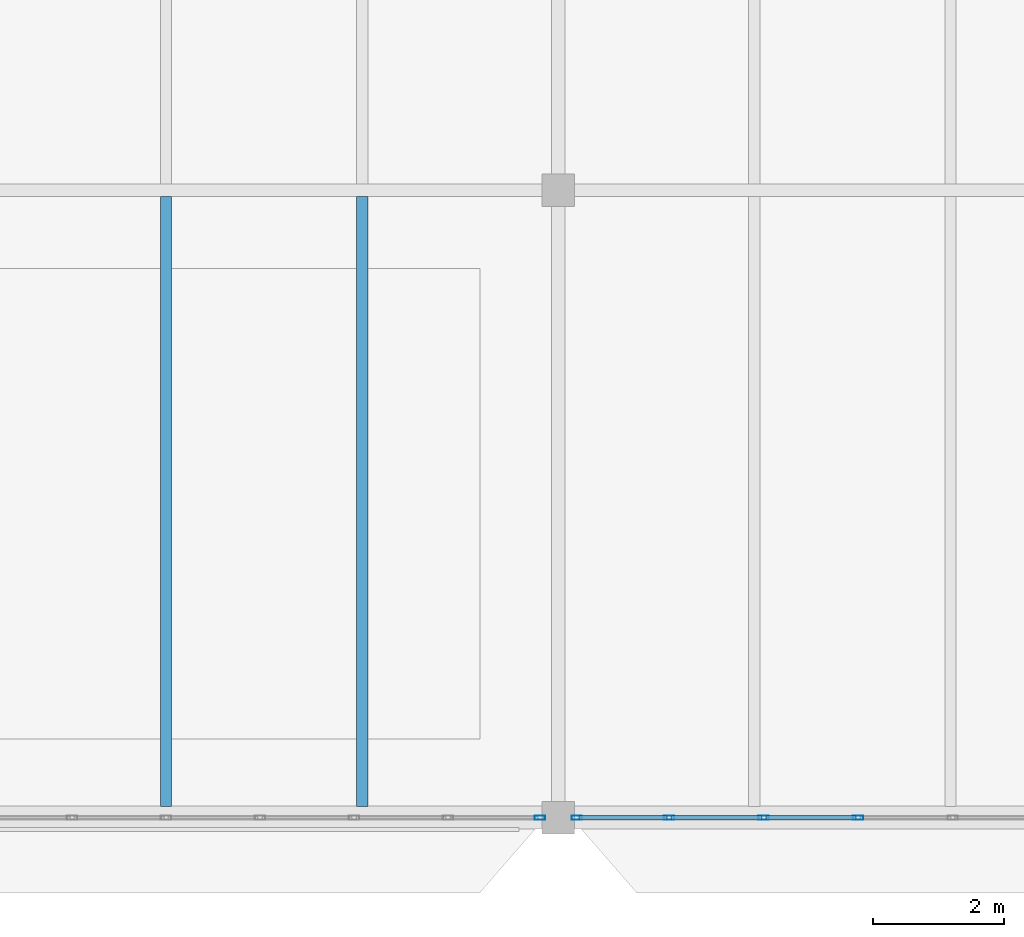
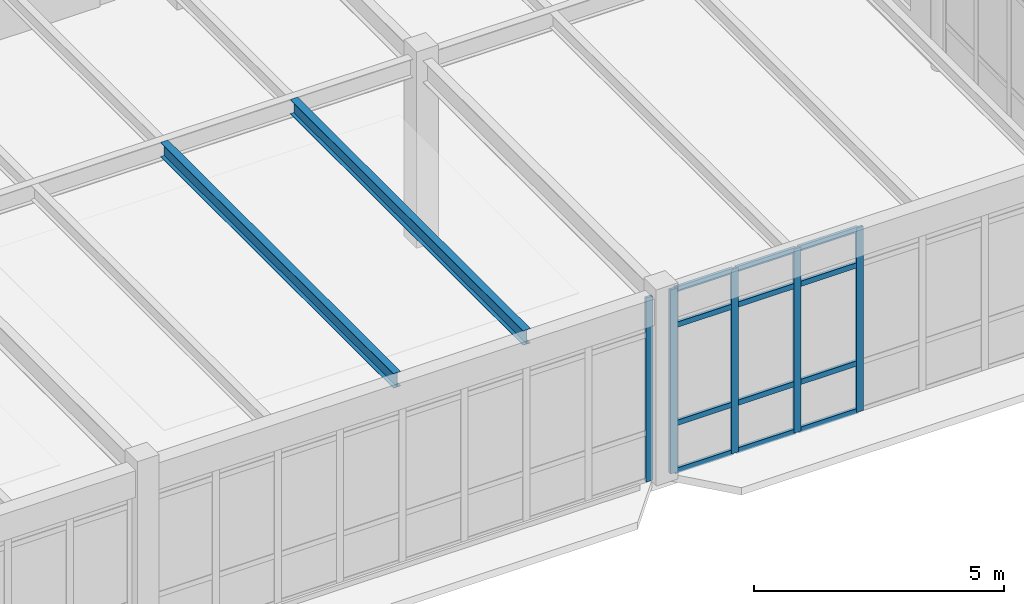
# One storey, part 14 of 236: 17 members, 2 beams, 2 elements without a shape of their own.
"""IFC4 building model written with IfcOpenShell, lengths in metres."""

from ifc_helpers import new_model, si_unit, direction, frame, origin, origin_2d, place, context, subcontext, project, spatial, hollow_rectangle, i_section, extrude, material, layer, layer_set, material_profile, profile_set, type_object, element, aggregate, save


model = new_model("IFC4")

# Units and contexts
model_context = context("Model", 3, precision=1e-05, world=origin(), true_north=direction((0.0, 1.0)))
body_context = subcontext(model_context, "Body", "Model", "MODEL_VIEW")
ifc_project = project(units=[si_unit("LENGTHUNIT", "METRE"), si_unit("AREAUNIT", "SQUARE_METRE"), si_unit("VOLUMEUNIT", "CUBIC_METRE"), si_unit("PLANEANGLEUNIT", "RADIAN"), si_unit("MASSUNIT", "GRAM", prefix="KILO")], contexts=[model_context])

# Site, building, storey
site_placement = place(None, origin())
site = spatial("IfcSite", under=ifc_project, at=site_placement, CompositionType="ELEMENT")
building_placement = place(site_placement, origin())
building = spatial("IfcBuilding", under=site, at=building_placement, Name="Pandanus Reach Market Hall", CompositionType="ELEMENT")
storey_placement = place(building_placement, frame((0.0, 0.0, 5.39990234375)))
storey = spatial("IfcBuildingStorey", under=building, at=storey_placement, Name="L01", CompositionType="ELEMENT", Elevation=5.39990234375)

# Curtain wall, member
ifc_material_1 = material(Name="Bronze anodised aluminium and low-E glass", Category="aluminium")
ifc_layer_1 = layer(ifc_material_1, 0.159912109375, Name="CW-15")
ifc_layer_set_1 = layer_set([ifc_layer_1], Name="Bronze anodised aluminium and low-E glass")
curtain_wall_type_1 = type_object("IfcCurtainWallType", Name="CW-15", PredefinedType="NOTDEFINED", material=ifc_layer_set_1)
curtain_wall_1_placement = place(storey_placement, origin())
curtain_wall_1 = element("IfcCurtainWall", 1, at=curtain_wall_1_placement, inside=storey, type_object=curtain_wall_type_1, Name="Glazed curtain wall CW-15 CW-0055", PredefinedType="NOTDEFINED")
ifc_material_2 = material(Name="Bronze anodised aluminium", Category="aluminium")
ifc_material_profile_1 = material_profile(ifc_material_2, hollow_rectangle(XDim=0.06494140625, YDim=0.159912109375, WallThickness=0.00390625, at=origin_2d()), Name="ALU65x160", Category="LoadBearing")
ifc_profile_set_1 = profile_set([ifc_material_profile_1], Name="Bronze anodised aluminium")
member_type_1 = type_object("IfcMemberType", Name="CW-M1", PredefinedType="MULLION", material=ifc_profile_set_1)
member_1_placement = place(storey_placement, frame((23.717529296875, 0.0, 0.0), z_axis=(0.0, 0.0, 1.0), x_axis=(0.0, 1.0, 0.0)))
member_1 = element("IfcMember", 2, at=member_1_placement, type_object=member_type_1, Name="CW-15 mullion 9", PredefinedType="MULLION", context=body_context, shape_type="SweptSolid", body=[
    extrude(hollow_rectangle(XDim=0.06494140625, YDim=0.159912109375, WallThickness=0.00390625, at=origin_2d()), origin(), (0.0, 0.0, 1.0), 4.5),
])
aggregate(curtain_wall_1, [member_1])

# Curtain wall, members
ifc_layer_2 = layer(ifc_material_1, 0.159912109375, Name="CW-16")
ifc_layer_set_2 = layer_set([ifc_layer_2], Name="Bronze anodised aluminium and low-E glass")
curtain_wall_type_2 = type_object("IfcCurtainWallType", Name="CW-16", PredefinedType="NOTDEFINED", material=ifc_layer_set_2)
curtain_wall_2_placement = place(storey_placement, origin())
curtain_wall_2 = element("IfcCurtainWall", 3, at=curtain_wall_2_placement, inside=storey, type_object=curtain_wall_type_2, Name="Glazed curtain wall CW-16 CW-0056", PredefinedType="NOTDEFINED")
member_2_placement = place(storey_placement, frame((24.282470703125, 0.0, 0.0), z_axis=(0.0, 0.0, 1.0), x_axis=(0.0, 1.0, 0.0)))
member_2 = element("IfcMember", 4, at=member_2_placement, type_object=member_type_1, Name="CW-16 mullion 1", PredefinedType="MULLION", context=body_context, shape_type="SweptSolid", body=[
    extrude(hollow_rectangle(XDim=0.06494140625, YDim=0.159912109375, WallThickness=0.00390625, at=origin_2d()), origin(), (0.0, 0.0, 1.0), 4.5),
])
member_3_placement = place(storey_placement, frame((25.696533203125, 0.0, 0.0), z_axis=(0.0, 0.0, 1.0), x_axis=(0.0, 1.0, 0.0)))
member_3 = element("IfcMember", 5, at=member_3_placement, type_object=member_type_1, Name="CW-16 mullion 2", PredefinedType="MULLION", context=body_context, shape_type="SweptSolid", body=[
    extrude(hollow_rectangle(XDim=0.06494140625, YDim=0.159912109375, WallThickness=0.00390625, at=origin_2d()), origin(), (0.0, 0.0, 1.0), 4.5),
])
member_4_placement = place(storey_placement, frame((27.14306640625, 0.0, 0.0), z_axis=(0.0, 0.0, 1.0), x_axis=(0.0, 1.0, 0.0)))
member_4 = element("IfcMember", 6, at=member_4_placement, type_object=member_type_1, Name="CW-16 mullion 3", PredefinedType="MULLION", context=body_context, shape_type="SweptSolid", body=[
    extrude(hollow_rectangle(XDim=0.06494140625, YDim=0.159912109375, WallThickness=0.00390625, at=origin_2d()), origin(), (0.0, 0.0, 1.0), 4.5),
])
member_5_placement = place(storey_placement, frame((28.589599609375, 0.0, 0.0), z_axis=(0.0, 0.0, 1.0), x_axis=(0.0, 1.0, 0.0)))
member_5 = element("IfcMember", 7, at=member_5_placement, type_object=member_type_1, Name="CW-16 mullion 4", PredefinedType="MULLION", context=body_context, shape_type="SweptSolid", body=[
    extrude(hollow_rectangle(XDim=0.06494140625, YDim=0.159912109375, WallThickness=0.00390625, at=origin_2d()), origin(), (0.0, 0.0, 1.0), 4.5),
])
ifc_material_profile_2 = material_profile(ifc_material_2, hollow_rectangle(XDim=0.06494140625, YDim=0.1298828125, WallThickness=0.00390625, at=origin_2d()), Name="ALU65x130", Category="LoadBearing")
ifc_profile_set_2 = profile_set([ifc_material_profile_2], Name="Bronze anodised aluminium")
member_type_2 = type_object("IfcMemberType", Name="CW-T1", PredefinedType="USERDEFINED", material=ifc_profile_set_2)
member_6_placement = place(storey_placement, frame((24.31494140625, 0.0, 0.03271484375), z_axis=(1.0, 0.0, 0.0), x_axis=(0.0, 1.0, 0.0)))
member_6 = element("IfcMember", 8, at=member_6_placement, type_object=member_type_2, Name="CW-16 transom 1.1", ObjectType="TRANSOM", PredefinedType="USERDEFINED", context=body_context, shape_type="SweptSolid", body=[
    extrude(hollow_rectangle(XDim=0.06494140625, YDim=0.1298828125, WallThickness=0.00390625, at=origin_2d()), origin(), (0.0, 0.0, 1.0), 1.34912109375),
])
member_7_placement = place(storey_placement, frame((24.31494140625, 0.0, 1.2001953125), z_axis=(1.0, 0.0, 0.0), x_axis=(0.0, 1.0, 0.0)))
member_7 = element("IfcMember", 9, at=member_7_placement, type_object=member_type_2, Name="CW-16 transom 1.2", ObjectType="TRANSOM", PredefinedType="USERDEFINED", context=body_context, shape_type="SweptSolid", body=[
    extrude(hollow_rectangle(XDim=0.06494140625, YDim=0.1298828125, WallThickness=0.00390625, at=origin_2d()), origin(), (0.0, 0.0, 1.0), 1.34912109375),
])
member_8_placement = place(storey_placement, frame((24.31494140625, 0.0, 3.60009765625), z_axis=(1.0, 0.0, 0.0), x_axis=(0.0, 1.0, 0.0)))
member_8 = element("IfcMember", 10, at=member_8_placement, type_object=member_type_2, Name="CW-16 transom 1.3", ObjectType="TRANSOM", PredefinedType="USERDEFINED", context=body_context, shape_type="SweptSolid", body=[
    extrude(hollow_rectangle(XDim=0.06494140625, YDim=0.1298828125, WallThickness=0.00390625, at=origin_2d()), origin(), (0.0, 0.0, 1.0), 1.34912109375),
])
member_9_placement = place(storey_placement, frame((24.31494140625, 0.0, 4.467529296875), z_axis=(1.0, 0.0, 0.0), x_axis=(0.0, 1.0, 0.0)))
member_9 = element("IfcMember", 11, at=member_9_placement, type_object=member_type_2, Name="CW-16 transom 1.4", ObjectType="TRANSOM", PredefinedType="USERDEFINED", context=body_context, shape_type="SweptSolid", body=[
    extrude(hollow_rectangle(XDim=0.06494140625, YDim=0.1298828125, WallThickness=0.00390625, at=origin_2d()), origin(), (0.0, 0.0, 1.0), 1.34912109375),
])
member_10_placement = place(storey_placement, frame((25.72900390625, 0.0, 0.03271484375), z_axis=(1.0, 0.0, 0.0), x_axis=(0.0, 1.0, 0.0)))
member_10 = element("IfcMember", 12, at=member_10_placement, type_object=member_type_2, Name="CW-16 transom 2.1", ObjectType="TRANSOM", PredefinedType="USERDEFINED", context=body_context, shape_type="SweptSolid", body=[
    extrude(hollow_rectangle(XDim=0.06494140625, YDim=0.1298828125, WallThickness=0.00390625, at=origin_2d()), origin(), (0.0, 0.0, 1.0), 1.381591796875),
])
member_11_placement = place(storey_placement, frame((25.72900390625, 0.0, 1.2001953125), z_axis=(1.0, 0.0, 0.0), x_axis=(0.0, 1.0, 0.0)))
member_11 = element("IfcMember", 13, at=member_11_placement, type_object=member_type_2, Name="CW-16 transom 2.2", ObjectType="TRANSOM", PredefinedType="USERDEFINED", context=body_context, shape_type="SweptSolid", body=[
    extrude(hollow_rectangle(XDim=0.06494140625, YDim=0.1298828125, WallThickness=0.00390625, at=origin_2d()), origin(), (0.0, 0.0, 1.0), 1.381591796875),
])
member_12_placement = place(storey_placement, frame((25.72900390625, 0.0, 3.60009765625), z_axis=(1.0, 0.0, 0.0), x_axis=(0.0, 1.0, 0.0)))
member_12 = element("IfcMember", 14, at=member_12_placement, type_object=member_type_2, Name="CW-16 transom 2.3", ObjectType="TRANSOM", PredefinedType="USERDEFINED", context=body_context, shape_type="SweptSolid", body=[
    extrude(hollow_rectangle(XDim=0.06494140625, YDim=0.1298828125, WallThickness=0.00390625, at=origin_2d()), origin(), (0.0, 0.0, 1.0), 1.381591796875),
])
member_13_placement = place(storey_placement, frame((25.72900390625, 0.0, 4.467529296875), z_axis=(1.0, 0.0, 0.0), x_axis=(0.0, 1.0, 0.0)))
member_13 = element("IfcMember", 15, at=member_13_placement, type_object=member_type_2, Name="CW-16 transom 2.4", ObjectType="TRANSOM", PredefinedType="USERDEFINED", context=body_context, shape_type="SweptSolid", body=[
    extrude(hollow_rectangle(XDim=0.06494140625, YDim=0.1298828125, WallThickness=0.00390625, at=origin_2d()), origin(), (0.0, 0.0, 1.0), 1.381591796875),
])
member_14_placement = place(storey_placement, frame((27.175537109375, 0.0, 0.03271484375), z_axis=(1.0, 0.0, 0.0), x_axis=(0.0, 1.0, 0.0)))
member_14 = element("IfcMember", 16, at=member_14_placement, type_object=member_type_2, Name="CW-16 transom 3.1", ObjectType="TRANSOM", PredefinedType="USERDEFINED", context=body_context, shape_type="SweptSolid", body=[
    extrude(hollow_rectangle(XDim=0.06494140625, YDim=0.1298828125, WallThickness=0.00390625, at=origin_2d()), origin(), (0.0, 0.0, 1.0), 1.381591796875),
])
member_15_placement = place(storey_placement, frame((27.175537109375, 0.0, 1.2001953125), z_axis=(1.0, 0.0, 0.0), x_axis=(0.0, 1.0, 0.0)))
member_15 = element("IfcMember", 17, at=member_15_placement, type_object=member_type_2, Name="CW-16 transom 3.2", ObjectType="TRANSOM", PredefinedType="USERDEFINED", context=body_context, shape_type="SweptSolid", body=[
    extrude(hollow_rectangle(XDim=0.06494140625, YDim=0.1298828125, WallThickness=0.00390625, at=origin_2d()), origin(), (0.0, 0.0, 1.0), 1.381591796875),
])
member_16_placement = place(storey_placement, frame((27.175537109375, 0.0, 3.60009765625), z_axis=(1.0, 0.0, 0.0), x_axis=(0.0, 1.0, 0.0)))
member_16 = element("IfcMember", 18, at=member_16_placement, type_object=member_type_2, Name="CW-16 transom 3.3", ObjectType="TRANSOM", PredefinedType="USERDEFINED", context=body_context, shape_type="SweptSolid", body=[
    extrude(hollow_rectangle(XDim=0.06494140625, YDim=0.1298828125, WallThickness=0.00390625, at=origin_2d()), origin(), (0.0, 0.0, 1.0), 1.381591796875),
])
member_17_placement = place(storey_placement, frame((27.175537109375, 0.0, 4.467529296875), z_axis=(1.0, 0.0, 0.0), x_axis=(0.0, 1.0, 0.0)))
member_17 = element("IfcMember", 19, at=member_17_placement, type_object=member_type_2, Name="CW-16 transom 3.4", ObjectType="TRANSOM", PredefinedType="USERDEFINED", context=body_context, shape_type="SweptSolid", body=[
    extrude(hollow_rectangle(XDim=0.06494140625, YDim=0.1298828125, WallThickness=0.00390625, at=origin_2d()), origin(), (0.0, 0.0, 1.0), 1.381591796875),
])
aggregate(curtain_wall_2, [member_2, member_3, member_4, member_5, member_6, member_7, member_8, member_9, member_10, member_11, member_12, member_13, member_14, member_15, member_16, member_17])

# Beams
ifc_material_3 = material(Name="Steel Grade 350 (350 MPa)", Category="steel")
ifc_material_profile_3 = material_profile(ifc_material_3, i_section(OverallWidth=0.1708984375, OverallDepth=0.35595703125, WebThickness=0.00732421875, FlangeThickness=0.011474609375, at=origin_2d()), Name="360UB50.7", Category="LoadBearing")
ifc_profile_set_3 = profile_set([ifc_material_profile_3], Name="Steel Grade 350 (350 MPa)")
beam_type = type_object("IfcBeamType", Name="JS-UB360-I", PredefinedType="JOIST", material=ifc_profile_set_3)
for number, where, z_axis, x_axis, name in (
    (20, (18.0, 0.173095703125, 4.356689453125), (0.0, 1.0, 0.0), (-1.0, 0.0, 0.0), "Secondary joist JS-UB360-I L01.997"),
    (21, (21.0, 0.173095703125, 4.356689453125), (0.0, 1.0, 0.0), (-1.0, 0.0, 0.0), "Secondary joist JS-UB360-I L01.998"),
):
    element("IfcBeam", number, at=place(storey_placement, frame(where, z_axis=z_axis, x_axis=x_axis)), inside=storey, type_object=beam_type, Name=name, PredefinedType="JOIST", context=body_context, shape_type="SweptSolid", body=[
        extrude(i_section(OverallWidth=0.1708984375, OverallDepth=0.35595703125, WebThickness=0.00732421875, FlangeThickness=0.011474609375, at=origin_2d()), origin(), (0.0, 0.0, 1.0), 9.333984375),
    ])

save(model, "model.ifc")
